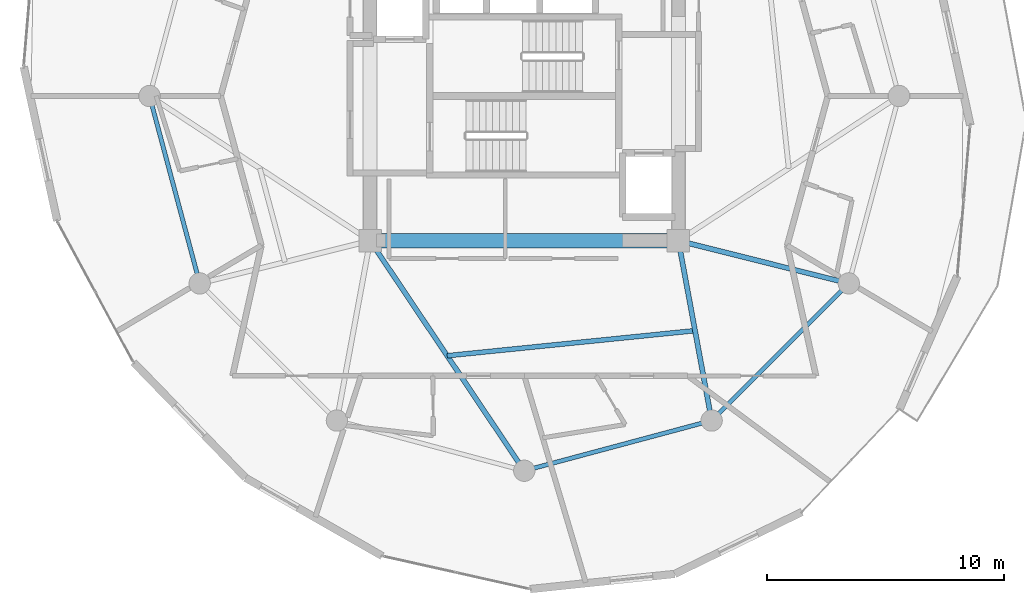
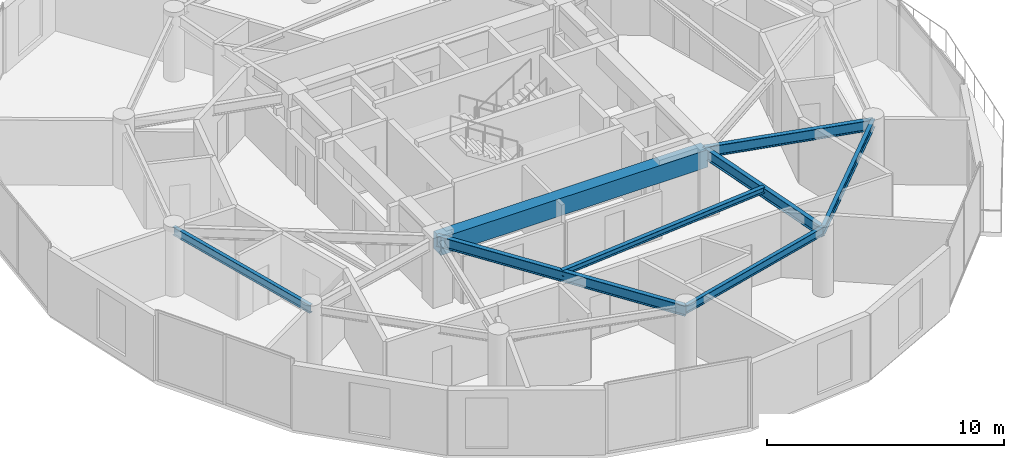
# One storey, part 6 of 23: 8 beams.
"""IFC4 building model written with IfcOpenShell, lengths in metres."""

from ifc_helpers import new_model, si_unit, direction, frame, origin, origin_2d, place, context, subcontext, project, spatial, rectangle, i_section, extrude, material, material_profile, profile_set, type_object, element, save


model = new_model("IFC4")

# Units and contexts
model_context = context("Model", 3, precision=1e-05, world=origin(), true_north=direction((0.0, 1.0)))
body_context = subcontext(model_context, "Body", "Model", "MODEL_VIEW")
ifc_project = project(units=[si_unit("LENGTHUNIT", "METRE"), si_unit("AREAUNIT", "SQUARE_METRE"), si_unit("VOLUMEUNIT", "CUBIC_METRE"), si_unit("PLANEANGLEUNIT", "RADIAN"), si_unit("MASSUNIT", "GRAM", prefix="KILO")], contexts=[model_context])

# Site, building, storey
site_placement = place(None, origin())
site = spatial("IfcSite", under=ifc_project, at=site_placement, CompositionType="ELEMENT")
building_placement = place(site_placement, origin())
building = spatial("IfcBuilding", under=site, at=building_placement, Name="Solvirekh Grand Hotel", CompositionType="ELEMENT")
storey_placement = place(building_placement, frame((0.0, 0.0, 173.199951171875)))
storey = spatial("IfcBuildingStorey", under=building, at=storey_placement, Name="L44", CompositionType="ELEMENT", Elevation=173.199951171875)

# Beams
ifc_material_1 = material(Name="Concrete C50/60", Category="concrete")
ifc_material_profile_1 = material_profile(ifc_material_1, rectangle(XDim=0.60009765625, YDim=0.89990234375, at=origin_2d()), Name="RC BEAM 600X900")
ifc_profile_set_1 = profile_set([ifc_material_profile_1], Name="Concrete C50/60")
beam_type_1 = type_object("IfcBeamType", Name="Beam_Core_RC900", PredefinedType="BEAM", material=ifc_profile_set_1)
beam_1_placement = place(storey_placement, frame((-6.5, -6.10009765625, 2.91015625), z_axis=(1.0, 0.0, 0.0), x_axis=(0.0, 1.0, 0.0)))
element("IfcBeam", 1, at=beam_1_placement, inside=storey, type_object=beam_type_1, Name="L44 core coupling ring beam 1", PredefinedType="BEAM", context=body_context, shape_type="SweptSolid", body=[
    extrude(rectangle(XDim=0.60009765625, YDim=0.89990234375, at=origin_2d()), origin(), (0.0, 0.0, 1.0), 13.0),
])
ifc_material_2 = material(Name="Steel S355", Category="steel")
ifc_material_profile_2 = material_profile(ifc_material_2, i_section(OverallWidth=0.2119140625, OverallDepth=0.5439453125, WebThickness=0.011962890625, FlangeThickness=0.01904296875, FilletRadius=0.013916015625, at=origin_2d()), Name="W530X123")
ifc_profile_set_2 = profile_set([ifc_material_profile_2], Name="Steel S355")
beam_type_2 = type_object("IfcBeamType", Name="Beam_Radial_W530H", PredefinedType="BEAM", material=ifc_profile_set_2)
beam_2_placement = place(storey_placement, frame((-6.5, -6.10009765625, 3.088134765625), z_axis=(0.556676926176, -0.830729077295, 0.0), x_axis=(0.830729077295, 0.556676926176, 0.0)))
element("IfcBeam", 2, at=beam_2_placement, inside=storey, type_object=beam_type_2, Name="L44 radial floor beam R10", PredefinedType="BEAM", context=body_context, shape_type="SweptSolid", body=[
    extrude(i_section(OverallWidth=0.2119140625, OverallDepth=0.5439453125, WebThickness=0.011962890625, FlangeThickness=0.01904296875, FilletRadius=0.013916015625, at=origin_2d()), origin(), (0.0, 0.0, 1.0), 11.676513671875),
])
beam_3_placement = place(storey_placement, frame((6.5, -6.10009765625, 3.088134765625), z_axis=(0.181542769111, -0.983383049978, 0.0), x_axis=(0.983383049978, 0.181542769111, 0.0)))
element("IfcBeam", 3, at=beam_3_placement, inside=storey, type_object=beam_type_2, Name="L44 radial floor beam R11", PredefinedType="BEAM", context=body_context, shape_type="SweptSolid", body=[
    extrude(i_section(OverallWidth=0.2119140625, OverallDepth=0.5439453125, WebThickness=0.011962890625, FlangeThickness=0.01904296875, FilletRadius=0.013916015625, at=origin_2d()), origin(), (0.0, 0.0, 1.0), 7.711181640625),
])
beam_4_placement = place(storey_placement, frame((6.5, -6.10009765625, 3.088134765625), z_axis=(0.970014367692, -0.243047580675, 0.0), x_axis=(0.243047580675, 0.970014367692, 0.0)))
element("IfcBeam", 4, at=beam_4_placement, inside=storey, type_object=beam_type_2, Name="L44 radial floor beam R12", PredefinedType="BEAM", context=body_context, shape_type="SweptSolid", body=[
    extrude(i_section(OverallWidth=0.2119140625, OverallDepth=0.5439453125, WebThickness=0.011962890625, FlangeThickness=0.01904296875, FilletRadius=0.013916015625, at=origin_2d()), origin(), (0.0, 0.0, 1.0), 7.4052734375),
])
ifc_material_profile_3 = material_profile(ifc_material_2, i_section(OverallWidth=0.202880859375, OverallDepth=0.302978515625, WebThickness=0.008056640625, FlangeThickness=0.012939453125, FilletRadius=0.010009765625, at=origin_2d()), Name="W310X60")
ifc_profile_set_3 = profile_set([ifc_material_profile_3], Name="Steel S355")
beam_type_3 = type_object("IfcBeamType", Name="Joist_Floor_W310", PredefinedType="JOIST", material=ifc_profile_set_3)
beam_5_placement = place(storey_placement, frame((-3.25, -10.949951171875, 3.208984375), z_axis=(0.994915167737, 0.100716478326, 0.0), x_axis=(-0.100716478326, 0.994915167737, 0.0)))
element("IfcBeam", 5, at=beam_5_placement, inside=storey, type_object=beam_type_3, Name="L44 secondary composite floor joist 10", PredefinedType="JOIST", context=body_context, shape_type="SweptSolid", body=[
    extrude(i_section(OverallWidth=0.202880859375, OverallDepth=0.302978515625, WebThickness=0.008056640625, FlangeThickness=0.012939453125, FilletRadius=0.010009765625, at=origin_2d()), origin(), (0.0, 0.0, 1.0), 10.50341796875),
])
ifc_material_profile_4 = material_profile(ifc_material_2, i_section(OverallWidth=0.180908203125, OverallDepth=0.4169921875, WebThickness=0.010009765625, FlangeThickness=0.01611328125, FilletRadius=0.011962890625, at=origin_2d()), Name="W410X85")
ifc_profile_set_4 = profile_set([ifc_material_profile_4], Name="Steel S355")
beam_type_4 = type_object("IfcBeamType", Name="Spandrel_Ring_W410", PredefinedType="SPANDREL", material=ifc_profile_set_4)
for number, where, z_axis, x_axis, name in (
    (6, (-15.800048828125, 0.0, 3.152099609375), (0.258838541915, -0.965920601923, 0.0), (0.965920601923, 0.258838541915, 0.0), "L44 perimeter spandrel beam 7"),
    (7, (0.0, -15.800048828125, 3.152099609375), (0.965920601923, 0.258838541915, 0.0), (-0.258838541915, 0.965920601923, 0.0), "L44 perimeter spandrel beam 10"),
    (8, (7.89990234375, -13.68310546875, 3.152099609375), (0.707106781187, 0.707106781187, 0.0), (-0.707106781187, 0.707106781187, 0.0), "L44 perimeter spandrel beam 11"),
):
    element("IfcBeam", number, at=place(storey_placement, frame(where, z_axis=z_axis, x_axis=x_axis)), inside=storey, type_object=beam_type_4, Name=name, PredefinedType="SPANDREL", context=body_context, shape_type="SweptSolid", body=[
        extrude(i_section(OverallWidth=0.180908203125, OverallDepth=0.4169921875, WebThickness=0.010009765625, FlangeThickness=0.01611328125, FilletRadius=0.011962890625, at=origin_2d()), origin(), (0.0, 0.0, 1.0), 8.1787109375),
    ])

save(model, "model.ifc")
